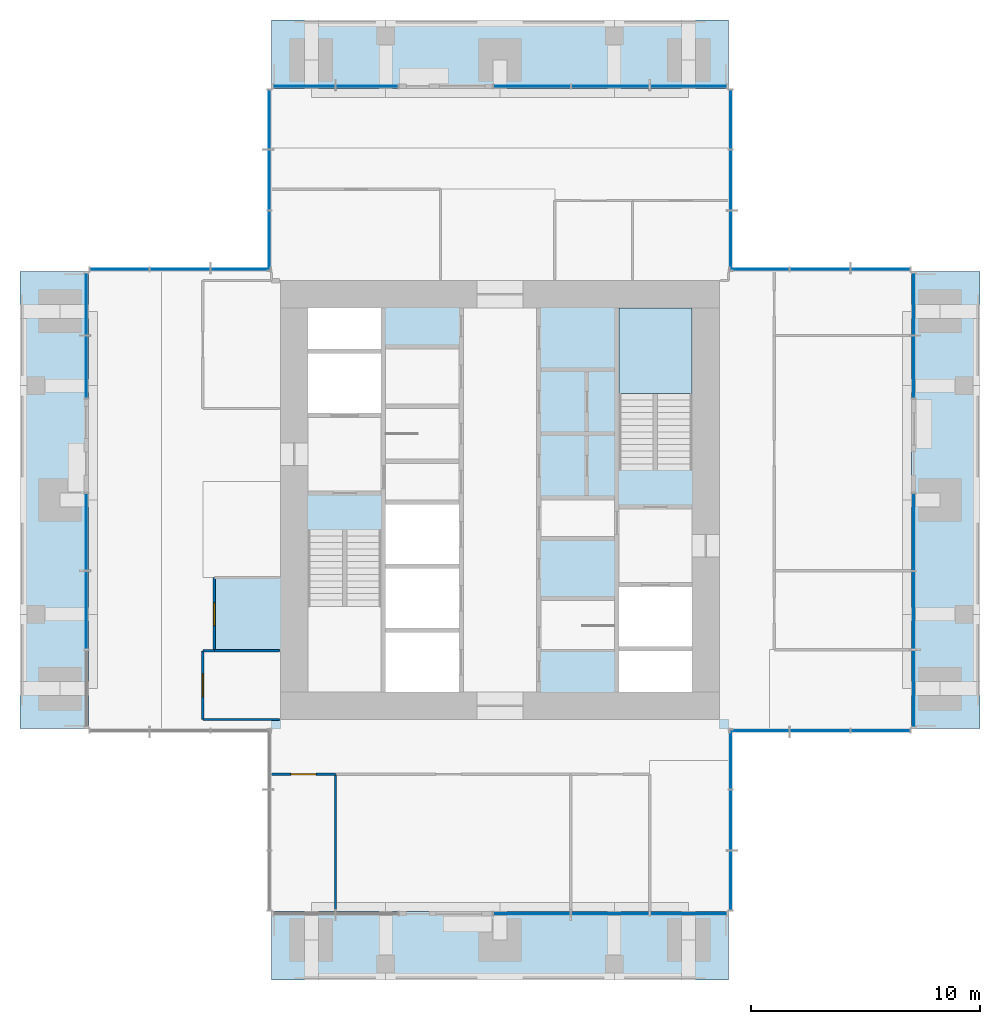
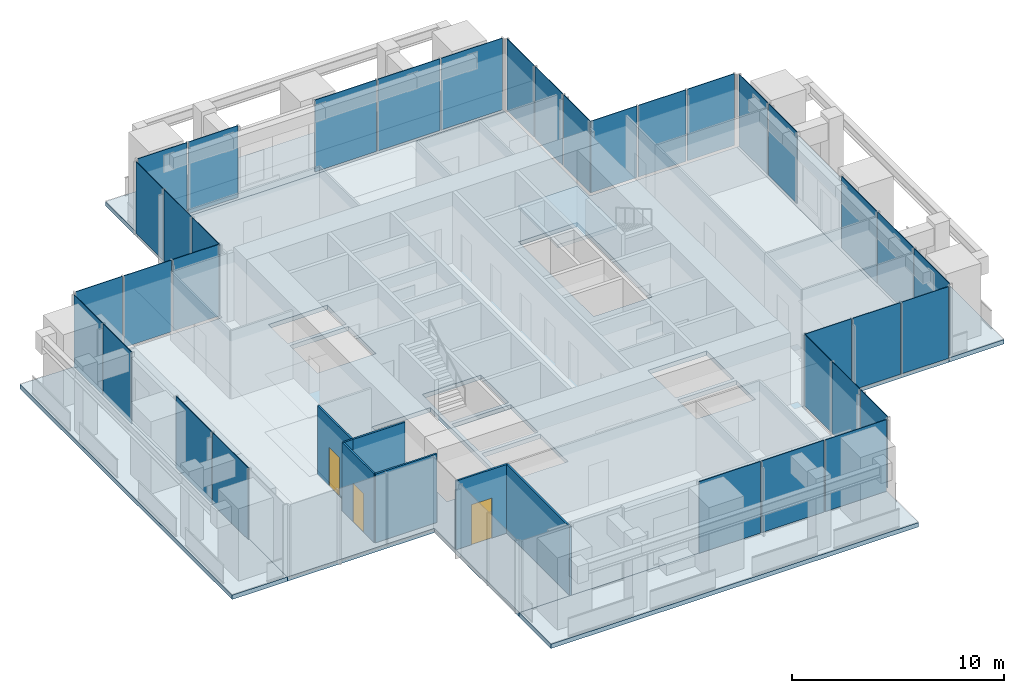
# One storey, part 6 of 12: 35 plates, 7 walls, 6 slabs, 3 doors, 3 openings, 14 elements without a shape of their own.
"""IFC4 building model written with IfcOpenShell, lengths in metres."""

from ifc_helpers import new_model, si_unit, direction, frame, frame_2d, origin, origin_2d, place, context, subcontext, project, spatial, polyline, rectangle, outline, extrude, material, layer, layer_set, type_object, element, fill, aggregate, save


model = new_model("IFC4")

# Units and contexts
model_context = context("Model", 3, precision=1e-05, world=origin(), true_north=direction((0.0, 1.0)))
body_context = subcontext(model_context, "Body", "Model", "MODEL_VIEW")
ifc_project = project(units=[si_unit("LENGTHUNIT", "METRE"), si_unit("AREAUNIT", "SQUARE_METRE"), si_unit("VOLUMEUNIT", "CUBIC_METRE"), si_unit("PLANEANGLEUNIT", "RADIAN"), si_unit("MASSUNIT", "GRAM", prefix="KILO")], contexts=[model_context])

# Site, building, storey
site_placement = place(None, origin())
site = spatial("IfcSite", under=ifc_project, at=site_placement, CompositionType="ELEMENT")
building_placement = place(site_placement, origin())
building = spatial("IfcBuilding", under=site, at=building_placement, Name="Svetlomir Tower", CompositionType="ELEMENT")
storey_placement = place(building_placement, frame((0.0, 0.0, 248.199951171875)))
storey = spatial("IfcBuildingStorey", under=building, at=storey_placement, Name="L59", CompositionType="ELEMENT", Elevation=248.199951171875)

# Curtain wall, plates
ifc_material_1 = material(Name="Bronze anodised aluminium curtain wall", Category="aluminium")
curtain_wall_type = type_object("IfcCurtainWallType", Name="CURTAIN WALL CW4 EXECUTIVE", PredefinedType="NOTDEFINED", material=ifc_material_1)
curtain_wall_1_placement = place(storey_placement, origin())
curtain_wall_1 = element("IfcCurtainWall", 1, at=curtain_wall_1_placement, inside=storey, type_object=curtain_wall_type, Name="Curtain wall CW4 L59", PredefinedType="NOTDEFINED")
ifc_material_2 = material(Name="Tinted double glazed unit", Category="glass")
ifc_layer_1 = layer(ifc_material_2, 0.035888671875)
ifc_layer_set_1 = layer_set([ifc_layer_1], Name="Tinted double glazed unit")
plate_type = type_object("IfcPlateType", Name="CW4 GLAZED PANEL 36", PredefinedType="CURTAIN_PANEL", material=ifc_layer_set_1)
plate_1_placement = place(storey_placement, frame((22.393798828125, 2.89990234375, 0.074951171875), z_axis=(0.0, 0.0, 1.0), x_axis=(1.0, 0.0, 0.0)))
plate_1 = element("IfcPlate", 2, at=plate_1_placement, type_object=plate_type, Name="CW4 panel 1.1", PredefinedType="CURTAIN_PANEL", context=body_context, shape_type="SweptSolid", body=[
    extrude(rectangle(XDim=3.33740234375, YDim=0.035888671875, at=origin_2d()), origin(), (0.0, 0.0, 1.0), 4.125),
])
plate_2_placement = place(storey_placement, frame((25.824951171875, 2.89990234375, 0.074951171875), z_axis=(0.0, 0.0, 1.0), x_axis=(1.0, 0.0, 0.0)))
plate_2 = element("IfcPlate", 3, at=plate_2_placement, type_object=plate_type, Name="CW4 panel 2.1", PredefinedType="CURTAIN_PANEL", context=body_context, shape_type="SweptSolid", body=[
    extrude(rectangle(XDim=3.375, YDim=0.035888671875, at=origin_2d()), origin(), (0.0, 0.0, 1.0), 4.125),
])
plate_3_placement = place(storey_placement, frame((29.25634765625, 2.89990234375, 0.074951171875), z_axis=(0.0, 0.0, 1.0), x_axis=(1.0, 0.0, 0.0)))
plate_3 = element("IfcPlate", 4, at=plate_3_placement, type_object=plate_type, Name="CW4 panel 3.1", PredefinedType="CURTAIN_PANEL", context=body_context, shape_type="SweptSolid", body=[
    extrude(rectangle(XDim=3.33740234375, YDim=0.035888671875, at=origin_2d()), origin(), (0.0, 0.0, 1.0), 4.125),
])
aggregate(curtain_wall_1, [plate_1, plate_2, plate_3])

curtain_wall_2_placement = place(storey_placement, origin())
curtain_wall_2 = element("IfcCurtainWall", 5, at=curtain_wall_2_placement, inside=storey, type_object=curtain_wall_type, Name="Curtain wall CW4 L59", PredefinedType="NOTDEFINED")
plate_4_placement = place(storey_placement, frame((31.10009765625, 4.35205078125, 0.074951171875), z_axis=(0.0, 0.0, 1.0), x_axis=(0.0, 1.0, 0.0)))
plate_4 = element("IfcPlate", 6, at=plate_4_placement, type_object=plate_type, Name="CW4 panel 1.1", PredefinedType="CURTAIN_PANEL", context=body_context, shape_type="SweptSolid", body=[
    extrude(rectangle(XDim=2.55419921875, YDim=0.035888671875, at=origin_2d()), origin(), (0.0, 0.0, 1.0), 4.125),
])
plate_5_placement = place(storey_placement, frame((31.10009765625, 7.0, 0.074951171875), z_axis=(0.0, 0.0, 1.0), x_axis=(0.0, 1.0, 0.0)))
plate_5 = element("IfcPlate", 7, at=plate_5_placement, type_object=plate_type, Name="CW4 panel 2.1", PredefinedType="CURTAIN_PANEL", context=body_context, shape_type="SweptSolid", body=[
    extrude(rectangle(XDim=2.591552734375, YDim=0.035888671875, at=origin_2d()), origin(), (0.0, 0.0, 1.0), 4.125),
])
plate_6_placement = place(storey_placement, frame((31.10009765625, 9.64794921875, 0.074951171875), z_axis=(0.0, 0.0, 1.0), x_axis=(0.0, 1.0, 0.0)))
plate_6 = element("IfcPlate", 8, at=plate_6_placement, type_object=plate_type, Name="CW4 panel 3.1", PredefinedType="CURTAIN_PANEL", context=body_context, shape_type="SweptSolid", body=[
    extrude(rectangle(XDim=2.55419921875, YDim=0.035888671875, at=origin_2d()), origin(), (0.0, 0.0, 1.0), 4.125),
])
aggregate(curtain_wall_2, [plate_4, plate_5, plate_6])

curtain_wall_3_placement = place(storey_placement, origin())
curtain_wall_3 = element("IfcCurtainWall", 9, at=curtain_wall_3_placement, inside=storey, type_object=curtain_wall_type, Name="Curtain wall CW4 L59", PredefinedType="NOTDEFINED")
plate_7_placement = place(storey_placement, frame((32.35205078125, 10.89990234375, 0.074951171875), z_axis=(0.0, 0.0, 1.0), x_axis=(1.0, 0.0, 0.0)))
plate_7 = element("IfcPlate", 10, at=plate_7_placement, type_object=plate_type, Name="CW4 panel 1.1", PredefinedType="CURTAIN_PANEL", context=body_context, shape_type="SweptSolid", body=[
    extrude(rectangle(XDim=2.55419921875, YDim=0.035888671875, at=origin_2d()), origin(), (0.0, 0.0, 1.0), 4.125),
])
plate_8_placement = place(storey_placement, frame((35.0, 10.89990234375, 0.074951171875), z_axis=(0.0, 0.0, 1.0), x_axis=(1.0, 0.0, 0.0)))
plate_8 = element("IfcPlate", 11, at=plate_8_placement, type_object=plate_type, Name="CW4 panel 2.1", PredefinedType="CURTAIN_PANEL", context=body_context, shape_type="SweptSolid", body=[
    extrude(rectangle(XDim=2.591552734375, YDim=0.035888671875, at=origin_2d()), origin(), (0.0, 0.0, 1.0), 4.125),
])
plate_9_placement = place(storey_placement, frame((37.64794921875, 10.89990234375, 0.074951171875), z_axis=(0.0, 0.0, 1.0), x_axis=(1.0, 0.0, 0.0)))
plate_9 = element("IfcPlate", 12, at=plate_9_placement, type_object=plate_type, Name="CW4 panel 3.1", PredefinedType="CURTAIN_PANEL", context=body_context, shape_type="SweptSolid", body=[
    extrude(rectangle(XDim=2.55419921875, YDim=0.035888671875, at=origin_2d()), origin(), (0.0, 0.0, 1.0), 4.125),
])
aggregate(curtain_wall_3, [plate_7, plate_8, plate_9])

curtain_wall_4_placement = place(storey_placement, origin())
curtain_wall_4 = element("IfcCurtainWall", 13, at=curtain_wall_4_placement, inside=storey, type_object=curtain_wall_type, Name="Curtain wall CW4 L59", PredefinedType="NOTDEFINED")
plate_10_placement = place(storey_placement, frame((39.10009765625, 12.74365234375, 0.074951171875), z_axis=(0.0, 0.0, 1.0), x_axis=(0.0, 1.0, 0.0)))
plate_10 = element("IfcPlate", 14, at=plate_10_placement, type_object=plate_type, Name="CW4 panel 1.1", PredefinedType="CURTAIN_PANEL", context=body_context, shape_type="SweptSolid", body=[
    extrude(rectangle(XDim=3.33740234375, YDim=0.035888671875, at=origin_2d()), origin(), (0.0, 0.0, 1.0), 4.125),
])
plate_11_placement = place(storey_placement, frame((39.10009765625, 16.175048828125, 0.074951171875), z_axis=(0.0, 0.0, 1.0), x_axis=(0.0, 1.0, 0.0)))
plate_11 = element("IfcPlate", 15, at=plate_11_placement, type_object=plate_type, Name="CW4 panel 2.1", PredefinedType="CURTAIN_PANEL", context=body_context, shape_type="SweptSolid", body=[
    extrude(rectangle(XDim=3.375, YDim=0.035888671875, at=origin_2d()), origin(), (0.0, 0.0, 1.0), 4.125),
])
plate_12_placement = place(storey_placement, frame((39.10009765625, 19.606201171875, 0.074951171875), z_axis=(0.0, 0.0, 1.0), x_axis=(0.0, 1.0, 0.0)))
plate_12 = element("IfcPlate", 16, at=plate_12_placement, type_object=plate_type, Name="CW4 panel 3.1", PredefinedType="CURTAIN_PANEL", context=body_context, shape_type="SweptSolid", body=[
    extrude(rectangle(XDim=3.33740234375, YDim=0.035888671875, at=origin_2d()), origin(), (0.0, 0.0, 1.0), 4.125),
])
aggregate(curtain_wall_4, [plate_10, plate_11, plate_12])

curtain_wall_5_placement = place(storey_placement, origin())
curtain_wall_5 = element("IfcCurtainWall", 17, at=curtain_wall_5_placement, inside=storey, type_object=curtain_wall_type, Name="Curtain wall CW4 L59", PredefinedType="NOTDEFINED")
plate_13_placement = place(storey_placement, frame((39.10009765625, 26.81884765625, 0.074951171875), z_axis=(0.0, 0.0, 1.0), x_axis=(0.0, 1.0, 0.0)))
plate_13 = element("IfcPlate", 18, at=plate_13_placement, type_object=plate_type, Name="CW4 panel 1.1", PredefinedType="CURTAIN_PANEL", context=body_context, shape_type="SweptSolid", body=[
    extrude(rectangle(XDim=2.6875, YDim=0.035888671875, at=origin_2d()), origin(), (0.0, 0.0, 1.0), 4.125),
])
plate_14_placement = place(storey_placement, frame((39.10009765625, 29.581298828125, 0.074951171875), z_axis=(0.0, 0.0, 1.0), x_axis=(0.0, 1.0, 0.0)))
plate_14 = element("IfcPlate", 19, at=plate_14_placement, type_object=plate_type, Name="CW4 panel 2.1", PredefinedType="CURTAIN_PANEL", context=body_context, shape_type="SweptSolid", body=[
    extrude(rectangle(XDim=2.6875, YDim=0.035888671875, at=origin_2d()), origin(), (0.0, 0.0, 1.0), 4.125),
])
aggregate(curtain_wall_5, [plate_13, plate_14])

curtain_wall_6_placement = place(storey_placement, origin())
curtain_wall_6 = element("IfcCurtainWall", 20, at=curtain_wall_6_placement, inside=storey, type_object=curtain_wall_type, Name="Curtain wall CW4 L59", PredefinedType="NOTDEFINED")
plate_15_placement = place(storey_placement, frame((37.64794921875, 31.10009765625, 0.074951171875), z_axis=(0.0, 0.0, 1.0), x_axis=(-1.0, 0.0, 0.0)))
plate_15 = element("IfcPlate", 21, at=plate_15_placement, type_object=plate_type, Name="CW4 panel 1.1", PredefinedType="CURTAIN_PANEL", context=body_context, shape_type="SweptSolid", body=[
    extrude(rectangle(XDim=2.55419921875, YDim=0.035888671875, at=origin_2d()), origin(), (0.0, 0.0, 1.0), 4.125),
])
plate_16_placement = place(storey_placement, frame((35.0, 31.10009765625, 0.074951171875), z_axis=(0.0, 0.0, 1.0), x_axis=(-1.0, 0.0, 0.0)))
plate_16 = element("IfcPlate", 22, at=plate_16_placement, type_object=plate_type, Name="CW4 panel 2.1", PredefinedType="CURTAIN_PANEL", context=body_context, shape_type="SweptSolid", body=[
    extrude(rectangle(XDim=2.591552734375, YDim=0.035888671875, at=origin_2d()), origin(), (0.0, 0.0, 1.0), 4.125),
])
plate_17_placement = place(storey_placement, frame((32.35205078125, 31.10009765625, 0.074951171875), z_axis=(0.0, 0.0, 1.0), x_axis=(-1.0, 0.0, 0.0)))
plate_17 = element("IfcPlate", 23, at=plate_17_placement, type_object=plate_type, Name="CW4 panel 3.1", PredefinedType="CURTAIN_PANEL", context=body_context, shape_type="SweptSolid", body=[
    extrude(rectangle(XDim=2.55419921875, YDim=0.035888671875, at=origin_2d()), origin(), (0.0, 0.0, 1.0), 4.125),
])
aggregate(curtain_wall_6, [plate_15, plate_16, plate_17])

curtain_wall_7_placement = place(storey_placement, origin())
curtain_wall_7 = element("IfcCurtainWall", 24, at=curtain_wall_7_placement, inside=storey, type_object=curtain_wall_type, Name="Curtain wall CW4 L59", PredefinedType="NOTDEFINED")
plate_18_placement = place(storey_placement, frame((31.10009765625, 32.35205078125, 0.074951171875), z_axis=(0.0, 0.0, 1.0), x_axis=(0.0, 1.0, 0.0)))
plate_18 = element("IfcPlate", 25, at=plate_18_placement, type_object=plate_type, Name="CW4 panel 1.1", PredefinedType="CURTAIN_PANEL", context=body_context, shape_type="SweptSolid", body=[
    extrude(rectangle(XDim=2.55419921875, YDim=0.035888671875, at=origin_2d()), origin(), (0.0, 0.0, 1.0), 4.125),
])
plate_19_placement = place(storey_placement, frame((31.10009765625, 35.0, 0.074951171875), z_axis=(0.0, 0.0, 1.0), x_axis=(0.0, 1.0, 0.0)))
plate_19 = element("IfcPlate", 26, at=plate_19_placement, type_object=plate_type, Name="CW4 panel 2.1", PredefinedType="CURTAIN_PANEL", context=body_context, shape_type="SweptSolid", body=[
    extrude(rectangle(XDim=2.591552734375, YDim=0.035888671875, at=origin_2d()), origin(), (0.0, 0.0, 1.0), 4.125),
])
plate_20_placement = place(storey_placement, frame((31.10009765625, 37.64794921875, 0.074951171875), z_axis=(0.0, 0.0, 1.0), x_axis=(0.0, 1.0, 0.0)))
plate_20 = element("IfcPlate", 27, at=plate_20_placement, type_object=plate_type, Name="CW4 panel 3.1", PredefinedType="CURTAIN_PANEL", context=body_context, shape_type="SweptSolid", body=[
    extrude(rectangle(XDim=2.55419921875, YDim=0.035888671875, at=origin_2d()), origin(), (0.0, 0.0, 1.0), 4.125),
])
aggregate(curtain_wall_7, [plate_18, plate_19, plate_20])

curtain_wall_8_placement = place(storey_placement, origin())
curtain_wall_8 = element("IfcCurtainWall", 28, at=curtain_wall_8_placement, inside=storey, type_object=curtain_wall_type, Name="Curtain wall CW4 L59", PredefinedType="NOTDEFINED")
plate_21_placement = place(storey_placement, frame((29.25634765625, 39.10009765625, 0.074951171875), z_axis=(0.0, 0.0, 1.0), x_axis=(-1.0, 0.0, 0.0)))
plate_21 = element("IfcPlate", 29, at=plate_21_placement, type_object=plate_type, Name="CW4 panel 1.1", PredefinedType="CURTAIN_PANEL", context=body_context, shape_type="SweptSolid", body=[
    extrude(rectangle(XDim=3.33740234375, YDim=0.035888671875, at=origin_2d()), origin(), (0.0, 0.0, 1.0), 4.125),
])
plate_22_placement = place(storey_placement, frame((25.824951171875, 39.10009765625, 0.074951171875), z_axis=(0.0, 0.0, 1.0), x_axis=(-1.0, 0.0, 0.0)))
plate_22 = element("IfcPlate", 30, at=plate_22_placement, type_object=plate_type, Name="CW4 panel 2.1", PredefinedType="CURTAIN_PANEL", context=body_context, shape_type="SweptSolid", body=[
    extrude(rectangle(XDim=3.375, YDim=0.035888671875, at=origin_2d()), origin(), (0.0, 0.0, 1.0), 4.125),
])
plate_23_placement = place(storey_placement, frame((22.393798828125, 39.10009765625, 0.074951171875), z_axis=(0.0, 0.0, 1.0), x_axis=(-1.0, 0.0, 0.0)))
plate_23 = element("IfcPlate", 31, at=plate_23_placement, type_object=plate_type, Name="CW4 panel 3.1", PredefinedType="CURTAIN_PANEL", context=body_context, shape_type="SweptSolid", body=[
    extrude(rectangle(XDim=3.33740234375, YDim=0.035888671875, at=origin_2d()), origin(), (0.0, 0.0, 1.0), 4.125),
])
aggregate(curtain_wall_8, [plate_21, plate_22, plate_23])

curtain_wall_9_placement = place(storey_placement, origin())
curtain_wall_9 = element("IfcCurtainWall", 32, at=curtain_wall_9_placement, inside=storey, type_object=curtain_wall_type, Name="Curtain wall CW4 L59", PredefinedType="NOTDEFINED")
plate_24_placement = place(storey_placement, frame((15.18115234375, 39.10009765625, 0.074951171875), z_axis=(0.0, 0.0, 1.0), x_axis=(-1.0, 0.0, 0.0)))
plate_24 = element("IfcPlate", 33, at=plate_24_placement, type_object=plate_type, Name="CW4 panel 1.1", PredefinedType="CURTAIN_PANEL", context=body_context, shape_type="SweptSolid", body=[
    extrude(rectangle(XDim=2.6875, YDim=0.035888671875, at=origin_2d()), origin(), (0.0, 0.0, 1.0), 4.125),
])
plate_25_placement = place(storey_placement, frame((12.418701171875, 39.10009765625, 0.074951171875), z_axis=(0.0, 0.0, 1.0), x_axis=(-1.0, 0.0, 0.0)))
plate_25 = element("IfcPlate", 34, at=plate_25_placement, type_object=plate_type, Name="CW4 panel 2.1", PredefinedType="CURTAIN_PANEL", context=body_context, shape_type="SweptSolid", body=[
    extrude(rectangle(XDim=2.6875, YDim=0.035888671875, at=origin_2d()), origin(), (0.0, 0.0, 1.0), 4.125),
])
aggregate(curtain_wall_9, [plate_24, plate_25])

curtain_wall_10_placement = place(storey_placement, origin())
curtain_wall_10 = element("IfcCurtainWall", 35, at=curtain_wall_10_placement, inside=storey, type_object=curtain_wall_type, Name="Curtain wall CW4 L59", PredefinedType="NOTDEFINED")
plate_26_placement = place(storey_placement, frame((10.89990234375, 37.64794921875, 0.074951171875), z_axis=(0.0, 0.0, 1.0), x_axis=(0.0, -1.0, 0.0)))
plate_26 = element("IfcPlate", 36, at=plate_26_placement, type_object=plate_type, Name="CW4 panel 1.1", PredefinedType="CURTAIN_PANEL", context=body_context, shape_type="SweptSolid", body=[
    extrude(rectangle(XDim=2.55419921875, YDim=0.035888671875, at=origin_2d()), origin(), (0.0, 0.0, 1.0), 4.125),
])
plate_27_placement = place(storey_placement, frame((10.89990234375, 35.0, 0.074951171875), z_axis=(0.0, 0.0, 1.0), x_axis=(0.0, -1.0, 0.0)))
plate_27 = element("IfcPlate", 37, at=plate_27_placement, type_object=plate_type, Name="CW4 panel 2.1", PredefinedType="CURTAIN_PANEL", context=body_context, shape_type="SweptSolid", body=[
    extrude(rectangle(XDim=2.591552734375, YDim=0.035888671875, at=origin_2d()), origin(), (0.0, 0.0, 1.0), 4.125),
])
plate_28_placement = place(storey_placement, frame((10.89990234375, 32.35205078125, 0.074951171875), z_axis=(0.0, 0.0, 1.0), x_axis=(0.0, -1.0, 0.0)))
plate_28 = element("IfcPlate", 38, at=plate_28_placement, type_object=plate_type, Name="CW4 panel 3.1", PredefinedType="CURTAIN_PANEL", context=body_context, shape_type="SweptSolid", body=[
    extrude(rectangle(XDim=2.55419921875, YDim=0.035888671875, at=origin_2d()), origin(), (0.0, 0.0, 1.0), 4.125),
])
aggregate(curtain_wall_10, [plate_26, plate_27, plate_28])

curtain_wall_11_placement = place(storey_placement, origin())
curtain_wall_11 = element("IfcCurtainWall", 39, at=curtain_wall_11_placement, inside=storey, type_object=curtain_wall_type, Name="Curtain wall CW4 L59", PredefinedType="NOTDEFINED")
plate_29_placement = place(storey_placement, frame((9.64794921875, 31.10009765625, 0.074951171875), z_axis=(0.0, 0.0, 1.0), x_axis=(-1.0, 0.0, 0.0)))
plate_29 = element("IfcPlate", 40, at=plate_29_placement, type_object=plate_type, Name="CW4 panel 1.1", PredefinedType="CURTAIN_PANEL", context=body_context, shape_type="SweptSolid", body=[
    extrude(rectangle(XDim=2.55419921875, YDim=0.035888671875, at=origin_2d()), origin(), (0.0, 0.0, 1.0), 4.125),
])
plate_30_placement = place(storey_placement, frame((7.0, 31.10009765625, 0.074951171875), z_axis=(0.0, 0.0, 1.0), x_axis=(-1.0, 0.0, 0.0)))
plate_30 = element("IfcPlate", 41, at=plate_30_placement, type_object=plate_type, Name="CW4 panel 2.1", PredefinedType="CURTAIN_PANEL", context=body_context, shape_type="SweptSolid", body=[
    extrude(rectangle(XDim=2.591552734375, YDim=0.035888671875, at=origin_2d()), origin(), (0.0, 0.0, 1.0), 4.125),
])
plate_31_placement = place(storey_placement, frame((4.35205078125, 31.10009765625, 0.074951171875), z_axis=(0.0, 0.0, 1.0), x_axis=(-1.0, 0.0, 0.0)))
plate_31 = element("IfcPlate", 42, at=plate_31_placement, type_object=plate_type, Name="CW4 panel 3.1", PredefinedType="CURTAIN_PANEL", context=body_context, shape_type="SweptSolid", body=[
    extrude(rectangle(XDim=2.55419921875, YDim=0.035888671875, at=origin_2d()), origin(), (0.0, 0.0, 1.0), 4.125),
])
aggregate(curtain_wall_11, [plate_29, plate_30, plate_31])

curtain_wall_12_placement = place(storey_placement, origin())
curtain_wall_12 = element("IfcCurtainWall", 43, at=curtain_wall_12_placement, inside=storey, type_object=curtain_wall_type, Name="Curtain wall CW4 L59", PredefinedType="NOTDEFINED")
plate_32_placement = place(storey_placement, frame((2.89990234375, 29.581298828125, 0.074951171875), z_axis=(0.0, 0.0, 1.0), x_axis=(0.0, -1.0, 0.0)))
plate_32 = element("IfcPlate", 44, at=plate_32_placement, type_object=plate_type, Name="CW4 panel 1.1", PredefinedType="CURTAIN_PANEL", context=body_context, shape_type="SweptSolid", body=[
    extrude(rectangle(XDim=2.6875, YDim=0.035888671875, at=origin_2d()), origin(), (0.0, 0.0, 1.0), 4.125),
])
plate_33_placement = place(storey_placement, frame((2.89990234375, 26.81884765625, 0.074951171875), z_axis=(0.0, 0.0, 1.0), x_axis=(0.0, -1.0, 0.0)))
plate_33 = element("IfcPlate", 45, at=plate_33_placement, type_object=plate_type, Name="CW4 panel 2.1", PredefinedType="CURTAIN_PANEL", context=body_context, shape_type="SweptSolid", body=[
    extrude(rectangle(XDim=2.6875, YDim=0.035888671875, at=origin_2d()), origin(), (0.0, 0.0, 1.0), 4.125),
])
aggregate(curtain_wall_12, [plate_32, plate_33])

curtain_wall_13_placement = place(storey_placement, origin())
curtain_wall_13 = element("IfcCurtainWall", 46, at=curtain_wall_13_placement, inside=storey, type_object=curtain_wall_type, Name="Curtain wall CW4 L59", PredefinedType="NOTDEFINED")
plate_34_placement = place(storey_placement, frame((2.89990234375, 19.606201171875, 0.074951171875), z_axis=(0.0, 0.0, 1.0), x_axis=(0.0, -1.0, 0.0)))
plate_34 = element("IfcPlate", 47, at=plate_34_placement, type_object=plate_type, Name="CW4 panel 1.1", PredefinedType="CURTAIN_PANEL", context=body_context, shape_type="SweptSolid", body=[
    extrude(rectangle(XDim=3.33740234375, YDim=0.035888671875, at=origin_2d()), origin(), (0.0, 0.0, 1.0), 4.125),
])
plate_35_placement = place(storey_placement, frame((2.89990234375, 16.175048828125, 0.074951171875), z_axis=(0.0, 0.0, 1.0), x_axis=(0.0, -1.0, 0.0)))
plate_35 = element("IfcPlate", 48, at=plate_35_placement, type_object=plate_type, Name="CW4 panel 2.1", PredefinedType="CURTAIN_PANEL", context=body_context, shape_type="SweptSolid", body=[
    extrude(rectangle(XDim=3.375, YDim=0.035888671875, at=origin_2d()), origin(), (0.0, 0.0, 1.0), 4.125),
])
aggregate(curtain_wall_13, [plate_34, plate_35])

# Slabs
ifc_material_3 = material(Name="Concrete C60/75", Category="concrete")
ifc_layer_2 = layer(ifc_material_3, 0.25)
ifc_layer_set_2 = layer_set([ifc_layer_2], Name="Concrete C60/75")
slab_type_1 = type_object("IfcSlabType", Name="FLOOR SLAB 250", PredefinedType="FLOOR", material=ifc_layer_set_2)
slab_1_placement = place(storey_placement, frame((0.0, 0.0, -0.25)))
element("IfcSlab", 49, at=slab_1_placement, inside=storey, type_object=slab_type_1, Name="L59 floor slab", PredefinedType="FLOOR", context=body_context, shape_type="SweptSolid", body=[
    extrude(outline(polyline([(11.0, 3.0), (31.0, 3.0), (31.0, 11.0), (39.0, 11.0), (39.0, 31.0), (31.0, 31.0), (31.0, 39.0), (11.0, 39.0), (11.0, 31.0), (3.0, 31.0), (3.0, 11.0), (11.0, 11.0), (11.0, 3.0)]), holes=[polyline([(12.60009765625, 24.800048828125), (15.800048828125, 24.800048828125), (15.800048828125, 27.39990234375), (12.60009765625, 27.39990234375), (12.60009765625, 24.800048828125)]), polyline([(26.199951171875, 14.60009765625), (29.39990234375, 14.60009765625), (29.39990234375, 17.199951171875), (26.199951171875, 17.199951171875), (26.199951171875, 14.60009765625)]), polyline([(16.0, 12.60009765625), (19.199951171875, 12.60009765625), (19.199951171875, 15.199951171875), (16.0, 15.199951171875), (16.0, 12.60009765625)]), polyline([(16.0, 15.39990234375), (19.199951171875, 15.39990234375), (19.199951171875, 18.0), (16.0, 18.0), (16.0, 15.39990234375)]), polyline([(16.0, 18.199951171875), (19.199951171875, 18.199951171875), (19.199951171875, 20.800048828125), (16.0, 20.800048828125), (16.0, 18.199951171875)]), polyline([(12.60009765625, 27.60009765625), (15.800048828125, 27.60009765625), (15.800048828125, 29.39990234375), (12.60009765625, 29.39990234375), (12.60009765625, 27.60009765625)]), polyline([(26.199951171875, 12.60009765625), (29.39990234375, 12.60009765625), (29.39990234375, 14.39990234375), (26.199951171875, 14.39990234375), (26.199951171875, 12.60009765625)]), polyline([(12.60009765625, 12.60009765625), (15.800048828125, 12.60009765625), (15.800048828125, 19.679931640625), (12.60009765625, 19.679931640625), (12.60009765625, 12.60009765625)]), polyline([(26.199951171875, 22.320068359375), (29.39990234375, 22.320068359375), (29.39990234375, 29.39990234375), (26.199951171875, 29.39990234375), (26.199951171875, 22.320068359375)])]), origin(), (0.0, 0.0, 1.0), 0.25),
])
ifc_material_4 = material(Name="Concrete C60/75", Category="concrete")
ifc_layer_3 = layer(ifc_material_4, 0.25)
ifc_layer_set_3 = layer_set([ifc_layer_3], Name="Concrete C60/75")
slab_type_2 = type_object("IfcSlabType", Name="PLANTED LOGGIA SLAB 250", PredefinedType="FLOOR", material=ifc_layer_set_3)
slab_2_placement = place(storey_placement, frame((0.0, 0.0, -0.25)))
element("IfcSlab", 50, at=slab_2_placement, inside=storey, type_object=slab_type_2, Name="L59 S planted loggia", PredefinedType="FLOOR", context=body_context, shape_type="SweptSolid", body=[
    extrude(outline(polyline([(11.0, 0.0), (31.0, 0.0), (31.0, 3.0), (11.0, 3.0), (11.0, 0.0)])), origin(), (0.0, 0.0, 1.0), 0.25),
])
slab_3_placement = place(storey_placement, frame((0.0, 0.0, -0.25)))
element("IfcSlab", 51, at=slab_3_placement, inside=storey, type_object=slab_type_2, Name="L59 E planted loggia", PredefinedType="FLOOR", context=body_context, shape_type="SweptSolid", body=[
    extrude(outline(polyline([(39.0, 11.0), (42.0, 11.0), (42.0, 31.0), (39.0, 31.0), (39.0, 11.0)])), origin(), (0.0, 0.0, 1.0), 0.25),
])
slab_4_placement = place(storey_placement, frame((0.0, 0.0, -0.25)))
element("IfcSlab", 52, at=slab_4_placement, inside=storey, type_object=slab_type_2, Name="L59 N planted loggia", PredefinedType="FLOOR", context=body_context, shape_type="SweptSolid", body=[
    extrude(outline(polyline([(11.0, 39.0), (31.0, 39.0), (31.0, 42.0), (11.0, 42.0), (11.0, 39.0)])), origin(), (0.0, 0.0, 1.0), 0.25),
])
slab_5_placement = place(storey_placement, frame((0.0, 0.0, -0.25)))
element("IfcSlab", 53, at=slab_5_placement, inside=storey, type_object=slab_type_2, Name="L59 W planted loggia", PredefinedType="FLOOR", context=body_context, shape_type="SweptSolid", body=[
    extrude(outline(polyline([(0.0, 11.0), (3.0, 11.0), (3.0, 31.0), (0.0, 31.0), (0.0, 11.0)])), origin(), (0.0, 0.0, 1.0), 0.25),
])

# Stair, slab
ifc_material_5 = material(Name="Concrete C60/75", Category="concrete")
stair_type = type_object("IfcStairType", Name="EXIT STAIR 3200 RISE 4200", PredefinedType="HALF_TURN_STAIR", material=ifc_material_5)
stair_placement = place(storey_placement, origin())
stair = element("IfcStair", 54, at=stair_placement, inside=storey, type_object=stair_type, Name="Stair S2 L59 to L60", PredefinedType="HALF_TURN_STAIR")
ifc_material_6 = material(Name="Concrete C60/75", Category="concrete")
ifc_layer_4 = layer(ifc_material_6, 0.199951171875)
ifc_layer_set_4 = layer_set([ifc_layer_4], Name="Concrete C60/75")
slab_type_3 = type_object("IfcSlabType", Name="STAIR LANDING 200", PredefinedType="LANDING", material=ifc_layer_set_4)
slab_6_placement = place(storey_placement, frame((0.0, 0.0, 1.900146484375)))
slab_6 = element("IfcSlab", 55, at=slab_6_placement, type_object=slab_type_3, Name="S2 landing 1", PredefinedType="LANDING", context=body_context, shape_type="SweptSolid", body=[
    extrude(outline(polyline([(26.199951171875, 25.659912109375), (29.39990234375, 25.659912109375), (29.39990234375, 29.39990234375), (26.199951171875, 29.39990234375), (26.199951171875, 25.659912109375)])), origin(), (0.0, 0.0, 1.0), 0.199951171875),
])
aggregate(stair, [slab_6])

# Wall, opening, door
ifc_material_7 = material(Name="Framed laminated glass partition", Category="glass")
ifc_layer_5 = layer(ifc_material_7, 0.10009765625)
ifc_layer_set_5 = layer_set([ifc_layer_5], Name="Framed laminated glass partition")
wall_type = type_object("IfcWallType", Name="GLAZED PARTITION 100", PredefinedType="PARTITIONING", material=ifc_layer_set_5)
wall_1_placement = place(storey_placement, frame((8.0, 11.39990234375, 0.0), z_axis=(0.0, 0.0, 1.0), x_axis=(0.0, 1.0, 0.0)))
wall_1 = element("IfcWall", 56, at=wall_1_placement, inside=storey, type_object=wall_type, Name="Glazed partition L59", PredefinedType="PARTITIONING", context=body_context, shape_type="SweptSolid", body=[
    extrude(rectangle(XDim=3.0, YDim=0.10009765625, at=frame_2d((1.5, 0.0))), origin(), (0.0, 0.0, 1.0), 3.949951171875),
])
opening_1_placement = place(wall_1_placement, frame((1.0, 0.0, 0.0)))
opening_1 = element("IfcOpeningElement", 57, at=opening_1_placement, cuts=wall_1, Name="Opening DR", PredefinedType="OPENING", context=body_context, shape_type="SweptSolid", body=[
    extrude(rectangle(XDim=1.0, YDim=2.199951171875, at=frame_2d((0.5, 1.10009765625))), frame((0.0, 0.06005859375, 0.0), z_axis=(0.0, -1.0, 0.0), x_axis=(1.0, 0.0, 0.0)), (0.0, 0.0, 1.0), 0.1201171875),
])
ifc_material_8 = material(Name="Timber door, glazed side light", Category="wood")
door_type_1 = type_object("IfcDoorType", Name="DOOR DR 1000x2200", OperationType="SINGLE_SWING_LEFT", PredefinedType="DOOR", material=ifc_material_8)
door_1_placement = place(opening_1_placement, origin())
door_1 = element("IfcDoor", 58, at=door_1_placement, inside=storey, type_object=door_type_1, Name="Focus room door L59", OperationType="SINGLE_SWING_LEFT", OverallHeight=2.199951171875, OverallWidth=1.0, PredefinedType="DOOR", context=body_context, shape_type="SweptSolid", body=[
    extrude(rectangle(XDim=1.0, YDim=2.199951171875, at=frame_2d((0.5, 1.10009765625))), frame((0.0, 0.02490234375, 0.0), z_axis=(0.0, -1.0, 0.0), x_axis=(1.0, 0.0, 0.0)), (0.0, 0.0, 1.0), 0.050048828125),
])
fill(opening_1, door_1)

# Walls
wall_2_placement = place(storey_placement, frame((8.0, 11.39990234375, 0.0), z_axis=(0.0, 0.0, 1.0), x_axis=(1.0, 0.0, 0.0)))
element("IfcWall", 59, at=wall_2_placement, inside=storey, type_object=wall_type, Name="Glazed partition L59", PredefinedType="PARTITIONING", context=body_context, shape_type="SweptSolid", body=[
    extrude(rectangle(XDim=3.35009765625, YDim=0.10009765625, at=frame_2d((1.675048828125, 0.0))), origin(), (0.0, 0.0, 1.0), 3.949951171875),
])
wall_3_placement = place(storey_placement, frame((8.0, 14.39990234375, 0.0), z_axis=(0.0, 0.0, 1.0), x_axis=(1.0, 0.0, 0.0)))
element("IfcWall", 60, at=wall_3_placement, inside=storey, type_object=wall_type, Name="Glazed partition L59", PredefinedType="PARTITIONING", context=body_context, shape_type="SweptSolid", body=[
    extrude(rectangle(XDim=0.5, YDim=0.10009765625, at=frame_2d((0.25, 0.0))), origin(), (0.0, 0.0, 1.0), 3.949951171875),
])

# Wall, opening, door
wall_4_placement = place(storey_placement, frame((8.5, 14.39990234375, 0.0), z_axis=(0.0, 0.0, 1.0), x_axis=(0.0, 1.0, 0.0)))
wall_4 = element("IfcWall", 61, at=wall_4_placement, inside=storey, type_object=wall_type, Name="Partition L59", PredefinedType="PARTITIONING", context=body_context, shape_type="SweptSolid", body=[
    extrude(rectangle(XDim=3.2001953125, YDim=0.10009765625, at=frame_2d((1.60009765625, 0.0))), origin(), (0.0, 0.0, 1.0), 3.949951171875),
])
opening_2_placement = place(wall_4_placement, frame((1.10009765625, 0.0, 0.0)))
opening_2 = element("IfcOpeningElement", 62, at=opening_2_placement, cuts=wall_4, Name="Opening DR", PredefinedType="OPENING", context=body_context, shape_type="SweptSolid", body=[
    extrude(rectangle(XDim=1.0, YDim=2.199951171875, at=frame_2d((0.5, 1.10009765625))), frame((0.0, 0.06005859375, 0.0), z_axis=(0.0, -1.0, 0.0), x_axis=(1.0, 0.0, 0.0)), (0.0, 0.0, 1.0), 0.1201171875),
])
door_2_placement = place(opening_2_placement, origin())
door_2 = element("IfcDoor", 63, at=door_2_placement, inside=storey, type_object=door_type_1, Name="Store door L59", OperationType="SINGLE_SWING_RIGHT", OverallHeight=2.199951171875, OverallWidth=1.0, PredefinedType="DOOR", context=body_context, shape_type="SweptSolid", body=[
    extrude(rectangle(XDim=1.0, YDim=2.199951171875, at=frame_2d((0.5, 1.10009765625))), frame((0.0, 0.02490234375, 0.0), z_axis=(0.0, -1.0, 0.0), x_axis=(1.0, 0.0, 0.0)), (0.0, 0.0, 1.0), 0.050048828125),
])
fill(opening_2, door_2)

# Wall
wall_5_placement = place(storey_placement, frame((8.5, 14.39990234375, 0.0), z_axis=(0.0, 0.0, 1.0), x_axis=(1.0, 0.0, 0.0)))
element("IfcWall", 64, at=wall_5_placement, inside=storey, type_object=wall_type, Name="Partition L59", PredefinedType="PARTITIONING", context=body_context, shape_type="SweptSolid", body=[
    extrude(rectangle(XDim=2.85009765625, YDim=0.10009765625, at=frame_2d((1.425048828125, 0.0))), origin(), (0.0, 0.0, 1.0), 3.949951171875),
])

# Wall, opening, door
wall_6_placement = place(storey_placement, frame((11.0, 9.0, 0.0), z_axis=(0.0, 0.0, 1.0), x_axis=(1.0, 0.0, 0.0)))
wall_6 = element("IfcWall", 65, at=wall_6_placement, inside=storey, type_object=wall_type, Name="Partition L59", PredefinedType="PARTITIONING", context=body_context, shape_type="SweptSolid", body=[
    extrude(rectangle(XDim=2.800048828125, YDim=0.10009765625, at=frame_2d((1.39990234375, 0.0))), origin(), (0.0, 0.0, 1.0), 3.949951171875),
])
opening_3_placement = place(wall_6_placement, frame((0.85009765625, 0.0, 0.0)))
opening_3 = element("IfcOpeningElement", 66, at=opening_3_placement, cuts=wall_6, Name="Opening DE", PredefinedType="OPENING", context=body_context, shape_type="SweptSolid", body=[
    extrude(rectangle(XDim=1.10009765625, YDim=2.300048828125, at=frame_2d((0.550048828125, 1.14990234375))), frame((0.0, 0.06005859375, 0.0), z_axis=(0.0, -1.0, 0.0), x_axis=(1.0, 0.0, 0.0)), (0.0, 0.0, 1.0), 0.1201171875),
])
ifc_material_9 = material(Name="Walnut veneered timber door", Category="wood")
door_type_2 = type_object("IfcDoorType", Name="DOOR DE 1100x2300", OperationType="SINGLE_SWING_LEFT", PredefinedType="DOOR", material=ifc_material_9)
door_3_placement = place(opening_3_placement, origin())
door_3 = element("IfcDoor", 67, at=door_3_placement, inside=storey, type_object=door_type_2, Name="Executive office - Group CFO door L59", OperationType="SINGLE_SWING_RIGHT", OverallHeight=2.300048828125, OverallWidth=1.10009765625, PredefinedType="DOOR", context=body_context, shape_type="SweptSolid", body=[
    extrude(rectangle(XDim=1.10009765625, YDim=2.300048828125, at=frame_2d((0.550048828125, 1.14990234375))), frame((0.0, 0.02490234375, 0.0), z_axis=(0.0, -1.0, 0.0), x_axis=(1.0, 0.0, 0.0)), (0.0, 0.0, 1.0), 0.050048828125),
])
fill(opening_3, door_3)

# Wall
wall_7_placement = place(storey_placement, frame((13.800048828125, 3.0, 0.0), z_axis=(0.0, 0.0, 1.0), x_axis=(0.0, 1.0, 0.0)))
element("IfcWall", 68, at=wall_7_placement, inside=storey, type_object=wall_type, Name="Partition L59", PredefinedType="PARTITIONING", context=body_context, shape_type="SweptSolid", body=[
    extrude(rectangle(XDim=6.0, YDim=0.10009765625, at=frame_2d((3.0, 0.0))), origin(), (0.0, 0.0, 1.0), 3.949951171875),
])

save(model, "model.ifc")
